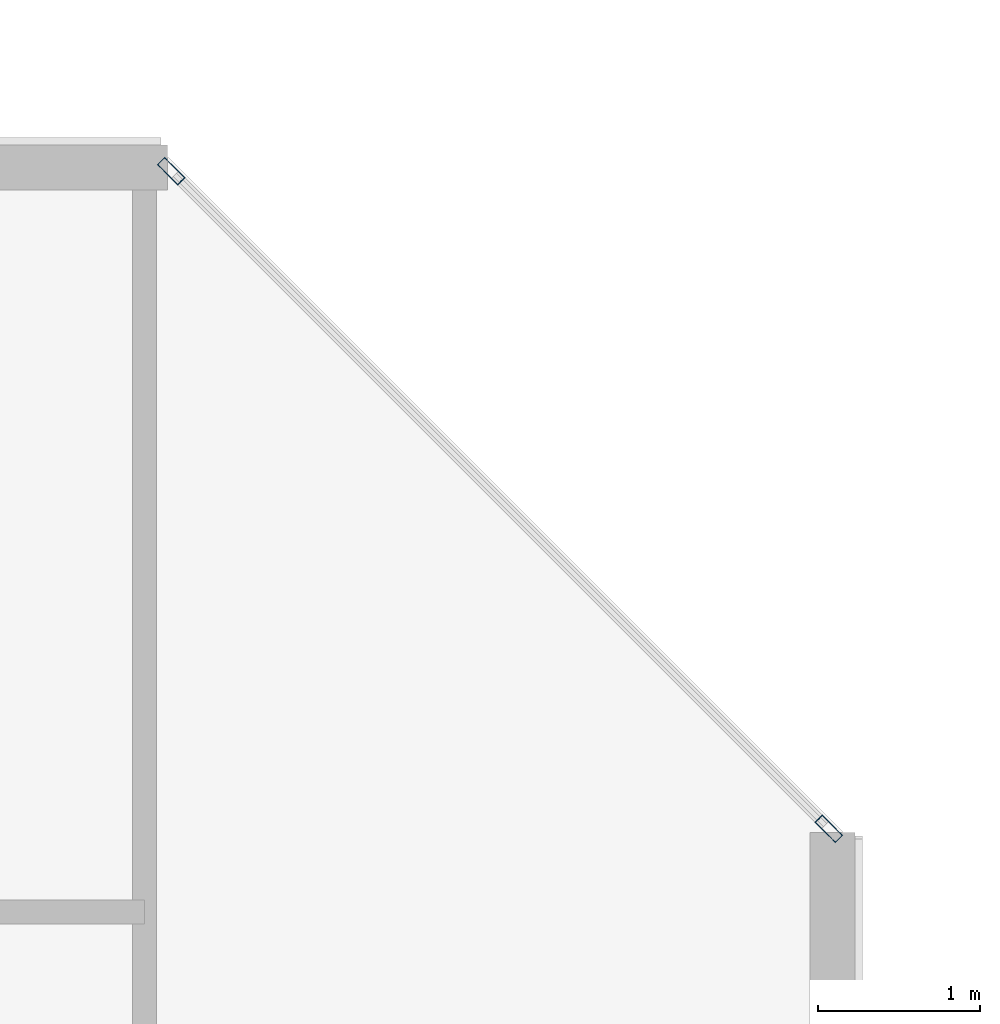
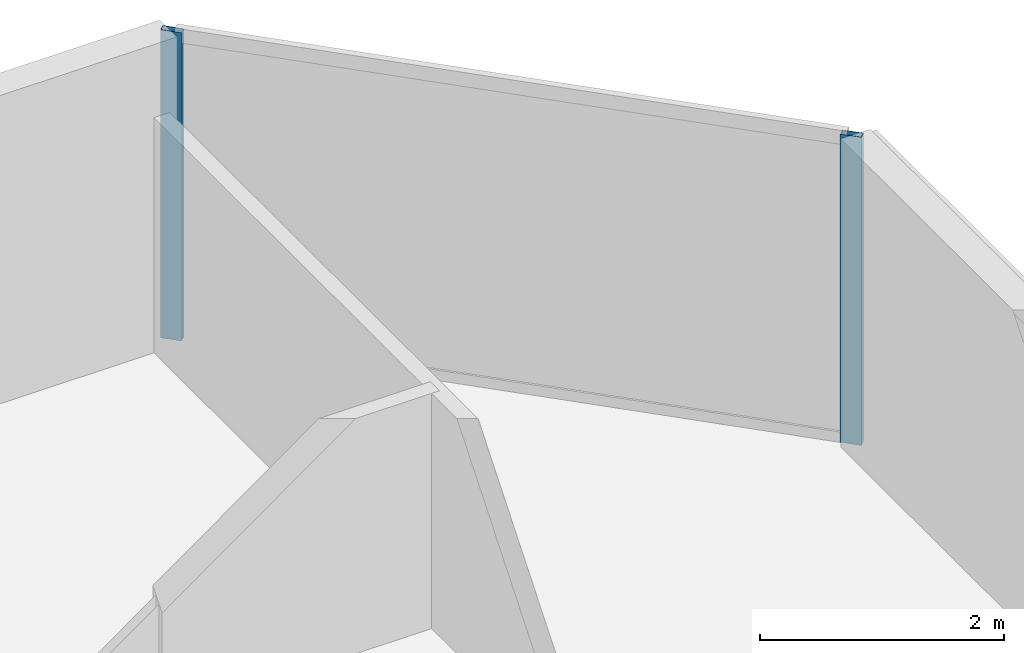
# One storey, part 15 of 33: 2 members, 1 element without a shape of its own.
"""IFC4 building model written with IfcOpenShell, lengths in metres."""

from ifc_helpers import new_model, si_unit, direction, frame, origin, origin_2d, place, context, subcontext, project, spatial, hollow_rectangle, extrude, material, layer, layer_set, material_profile, profile_set, type_object, element, aggregate, save


model = new_model("IFC4")

# Units and contexts
model_context = context("Model", 3, precision=1e-05, world=origin(), true_north=direction((0.0, 1.0)))
body_context = subcontext(model_context, "Body", "Model", "MODEL_VIEW")
ifc_project = project(units=[si_unit("LENGTHUNIT", "METRE"), si_unit("AREAUNIT", "SQUARE_METRE"), si_unit("VOLUMEUNIT", "CUBIC_METRE"), si_unit("PLANEANGLEUNIT", "RADIAN"), si_unit("MASSUNIT", "GRAM", prefix="KILO")], contexts=[model_context])

# Site, building, storey
site_placement = place(None, origin())
site = spatial("IfcSite", under=ifc_project, at=site_placement, CompositionType="ELEMENT")
building_placement = place(site_placement, origin())
building = spatial("IfcBuilding", under=site, at=building_placement, Name="Tanjung Sevakor Pilgrim Tower", CompositionType="ELEMENT")
storey_placement = place(building_placement, frame((0.0, 0.0, 38.93994140625)))
storey = spatial("IfcBuildingStorey", under=building, at=storey_placement, Name="L10", CompositionType="ELEMENT", Elevation=38.93994140625)

# Curtain wall, members
ifc_material_1 = material(Name="Aluminium 6063-T6 and Low-E Glass", Category="aluminium")
ifc_layer = layer(ifc_material_1, 0.179931640625)
ifc_layer_set = layer_set([ifc_layer], Name="CW-SYS-CHAM")
curtain_wall_type = type_object("IfcCurtainWallType", Name="CW-SYS-CHAM", PredefinedType="NOTDEFINED", material=ifc_layer_set)
curtain_wall_placement = place(storey_placement, origin())
curtain_wall = element("IfcCurtainWall", 1, at=curtain_wall_placement, inside=storey, type_object=curtain_wall_type, Name="L10 Curtain Wall CW-CHM-L10-MAIN-7", PredefinedType="NOTDEFINED")
ifc_material_2 = material(Name="Aluminium 6063-T6", Category="aluminium")
ifc_material_profile = material_profile(ifc_material_2, hollow_rectangle(XDim=0.06494140625, YDim=0.179931640625, WallThickness=0.00390625, at=origin_2d()))
ifc_profile_set = profile_set([ifc_material_profile], Name="Aluminium 6063-T6")
member_type = type_object("IfcMemberType", Name="TYPE-CWM-1", PredefinedType="MULLION", material=ifc_profile_set)
member_1_placement = place(storey_placement, frame((100.636962890625, 55.364990234375, 0.0), z_axis=(0.0, 0.0, 1.0), x_axis=(-0.707106781187, -0.707106781187, 0.0)))
member_1 = element("IfcMember", 2, at=member_1_placement, type_object=member_type, Name="CW-CHM mullion 1", PredefinedType="MULLION", context=body_context, shape_type="SweptSolid", body=[
    extrude(hollow_rectangle(XDim=0.06494140625, YDim=0.179931640625, WallThickness=0.00390625, at=origin_2d()), origin(), (0.0, 0.0, 1.0), 3.080078125),
])
member_2_placement = place(storey_placement, frame((96.56494140625, 59.43701171875, 0.0), z_axis=(0.0, 0.0, 1.0), x_axis=(-0.707106781187, -0.707106781187, 0.0)))
member_2 = element("IfcMember", 3, at=member_2_placement, type_object=member_type, Name="CW-CHM mullion 2", PredefinedType="MULLION", context=body_context, shape_type="SweptSolid", body=[
    extrude(hollow_rectangle(XDim=0.06494140625, YDim=0.179931640625, WallThickness=0.00390625, at=origin_2d()), origin(), (0.0, 0.0, 1.0), 3.080078125),
])
aggregate(curtain_wall, [member_1, member_2])

save(model, "model.ifc")
